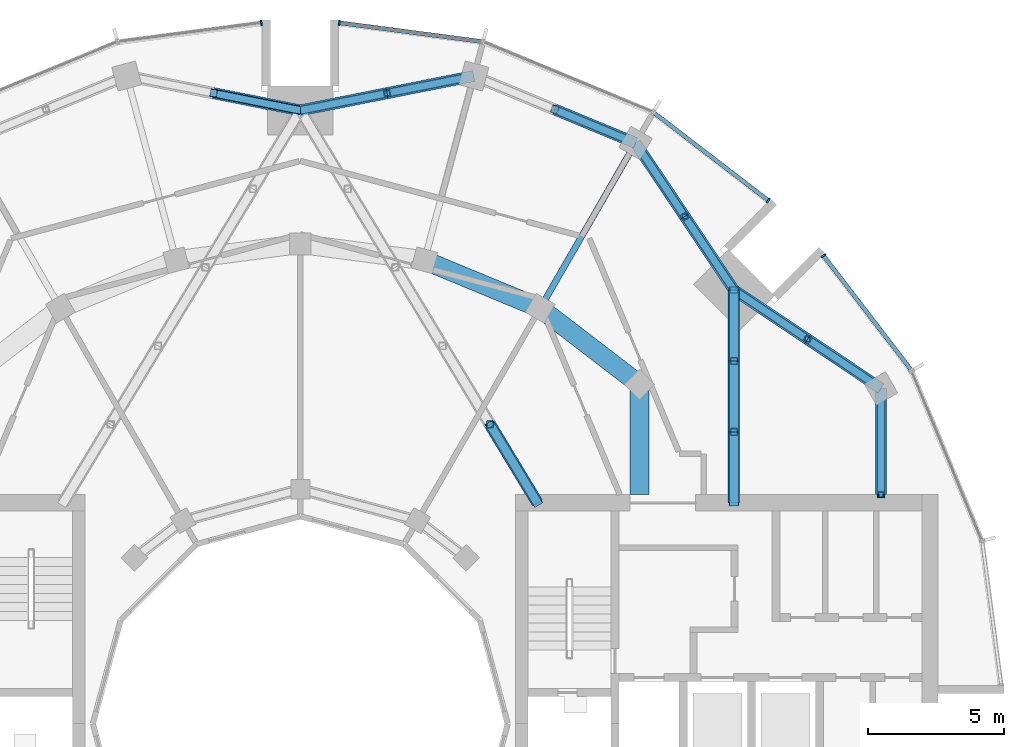
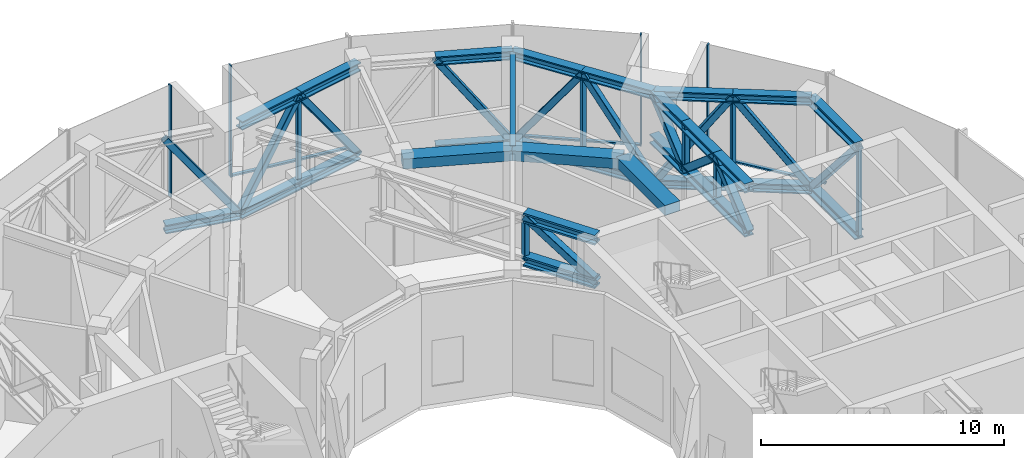
# One storey, part 9 of 18: 52 members, 4 beams, 4 elements without a shape of their own.
"""IFC4 building model written with IfcOpenShell, lengths in metres."""

import ifcopenshell
import ifcopenshell.guid

model = None  # the IFC model being written
_history = None  # IfcOwnerHistory: only IFC2X3 demands one
_inside = {}  # id of a spatial element -> (the spatial element, [elements in it])
_under = {}  # id of a project, library or spatial element -> (it, [spatial elements below it])
_declared = {}  # id of a project -> (the project, [libraries it declares])
_typed = {}  # id of a type object -> (the type object, [elements of that type])
_made_of = {}  # id of a material, layer set ... -> (it, [elements and type objects made of it])


def new_model(schema):
    """Start an empty IFC model of exactly this schema.

    Asked for "IFC4X3", IfcOpenShell would pick the latest addendum, in which some entities
    have other attributes; the version numbers below select the first issue.
    IFC2X3 requires an IfcOwnerHistory on every rooted entity: one is made here for all.
    """
    global model, _history
    if schema == "IFC4X3":
        model = ifcopenshell.file(schema_version=(4, 3, 0, 0))
    else:
        model = ifcopenshell.file(schema=schema)
    _inside.clear()
    _under.clear()
    _declared.clear()
    _typed.clear()
    _made_of.clear()
    _history = None
    if model.schema == "IFC2X3":
        org = make("IfcOrganization", Name="unknown")
        user = make(
            "IfcPersonAndOrganization",
            ThePerson=make("IfcPerson", FamilyName="unknown"),
            TheOrganization=org,
        )
        app = make(
            "IfcApplication",
            ApplicationDeveloper=org,
            Version="unknown",
            ApplicationFullName="unknown",
            ApplicationIdentifier="unknown",
        )
        _history = make(
            "IfcOwnerHistory",
            OwningUser=user,
            OwningApplication=app,
            ChangeAction="ADDED",
            CreationDate=0,
        )
    return model


def make(cls, **values):
    """One entity of the class cls with the attributes given. An attribute that is None is left unset."""
    return model.create_entity(
        cls, **{name: value for name, value in values.items() if value is not None}
    )


def rooted(cls, **values):
    """An entity with a GlobalId (a new one), such as an element, a storey or a relation."""
    return make(cls, GlobalId=ifcopenshell.guid.new(), OwnerHistory=_history, **values)


def si_unit(unit_type, name, prefix=None):
    """IfcSIUnit, for example si_unit("LENGTHUNIT", "METRE", prefix="MILLI")."""
    return make("IfcSIUnit", UnitType=unit_type, Prefix=prefix, Name=name)


def assignment(units):
    """IfcUnitAssignment: the units of a project."""
    return None if units is None else make("IfcUnitAssignment", Units=units)


def point(xyz):
    """IfcCartesianPoint."""
    return None if xyz is None else make("IfcCartesianPoint", Coordinates=xyz)


def direction(xyz):
    """IfcDirection."""
    return None if xyz is None else make("IfcDirection", DirectionRatios=xyz)


def frame(location, z_axis=None, x_axis=None):
    """IfcAxis2Placement3D, a coordinate frame: its origin and axes. An axis left out is left unset."""
    return make(
        "IfcAxis2Placement3D",
        Location=point(location),
        Axis=direction(z_axis),
        RefDirection=direction(x_axis),
    )


def frame_2d(location, x_axis=None):
    """IfcAxis2Placement2D, a coordinate frame in the plane: its origin and x axis."""
    return make(
        "IfcAxis2Placement2D", Location=point(location), RefDirection=direction(x_axis)
    )


def origin():
    """The frame at (0, 0, 0) with its axes left unset."""
    return frame((0.0, 0.0, 0.0))


def origin_2d():
    """The frame at (0, 0) in the plane with its x axis left unset."""
    return frame_2d((0.0, 0.0))


def place(relative_to, where):
    """IfcLocalPlacement: puts the frame where relative to a parent placement (None: the world)."""
    return make(
        "IfcLocalPlacement", PlacementRelTo=relative_to, RelativePlacement=where
    )


def context(
    kind, dimensions, precision=None, world=None, true_north=None, identifier=None
):
    """IfcGeometricRepresentationContext, for example the 3D "Model" context."""
    return make(
        "IfcGeometricRepresentationContext",
        ContextIdentifier=identifier,
        ContextType=kind,
        CoordinateSpaceDimension=dimensions,
        Precision=precision,
        WorldCoordinateSystem=world,
        TrueNorth=true_north,
    )


def subcontext(parent, identifier, kind, view, scale=None):
    """IfcGeometricRepresentationSubContext, for example "Body" below "Model"."""
    return make(
        "IfcGeometricRepresentationSubContext",
        ContextIdentifier=identifier,
        ContextType=kind,
        ParentContext=parent,
        TargetScale=scale,
        TargetView=view,
    )


def project(units=None, contexts=None):
    """IfcProject with its units and contexts."""
    return rooted(
        "IfcProject",
        Name="project",
        RepresentationContexts=contexts,
        UnitsInContext=assignment(units),
    )


def spatial(cls, under=None, at=None, **own):
    """A site, building, storey or space (cls), placed at a placement, below another one or the project."""
    s = rooted(cls, ObjectPlacement=at, **own)
    if under is not None:
        _under.setdefault(under.id(), (under, []))[1].append(s)
    return s


def profile(cls, at=None, kind="AREA", **sizes):
    """A parametric profile (cls). Its sizes go by their IFC names, for example OverallWidth=200.0."""
    return make(cls, ProfileType=kind, Position=at, **sizes)


def rectangle(**sizes):
    """IfcRectangleProfileDef."""
    return profile("IfcRectangleProfileDef", **sizes)


def hollow_rectangle(**sizes):
    """IfcRectangleHollowProfileDef."""
    return profile("IfcRectangleHollowProfileDef", **sizes)


def i_section(**sizes):
    """IfcIShapeProfileDef."""
    return profile("IfcIShapeProfileDef", **sizes)


def extrude(swept, where, along, depth):
    """IfcExtrudedAreaSolid: the profile swept, set in the frame where, extruded along a direction by depth."""
    return make(
        "IfcExtrudedAreaSolid",
        SweptArea=swept,
        Position=where,
        ExtrudedDirection=direction(along),
        Depth=depth,
    )


def shape(context_of_items, identifier, shape_type, items):
    """IfcShapeRepresentation: the items that make up one representation, for example the "Body"."""
    return make(
        "IfcShapeRepresentation",
        ContextOfItems=context_of_items,
        RepresentationIdentifier=identifier,
        RepresentationType=shape_type,
        Items=items,
    )


def material(Name=None, Category=None):
    """IfcMaterial."""
    return make("IfcMaterial", Name=Name, Category=Category)


def layer(
    of_material, thickness, ventilated=None, Name=None, Category=None, Priority=None
):
    """IfcMaterialLayer: one layer of a wall or slab, of a material (None: an air gap)."""
    return make(
        "IfcMaterialLayer",
        Material=of_material,
        LayerThickness=thickness,
        IsVentilated=ventilated,
        Name=Name,
        Category=Category,
        Priority=Priority,
    )


def layer_set(layers, Name=None):
    """IfcMaterialLayerSet."""
    return make("IfcMaterialLayerSet", MaterialLayers=layers, LayerSetName=Name)


def material_profile(
    of_material, cross_section, Name=None, Category=None, Priority=None
):
    """IfcMaterialProfile: a cross section and its material."""
    return make(
        "IfcMaterialProfile",
        Name=Name,
        Material=of_material,
        Profile=cross_section,
        Priority=Priority,
        Category=Category,
    )


def profile_set(profiles, Name=None, composite=None):
    """IfcMaterialProfileSet."""
    return make(
        "IfcMaterialProfileSet",
        Name=Name,
        MaterialProfiles=profiles,
        CompositeProfile=composite,
    )


def made_of(thing, what):
    """Note that an element or type object is made of a material, layer set ...; save() writes the relation."""
    if what is not None:
        _made_of.setdefault(what.id(), (what, []))[1].append(thing)
    return thing


def type_object(cls, material=None, **own):
    """A type object (cls), such as IfcWallType, which elements share."""
    return made_of(rooted(cls, **own), material)


def element(
    cls,
    number,
    at=None,
    inside=None,
    cuts=None,
    type_object=None,
    material=None,
    context=None,
    identifier="Body",
    shape_type=None,
    held_by="IfcProductDefinitionShape",
    body=None,
    shapes=None,
    **own,
):
    """One element of the class cls, such as IfcWall. Its Tag is "e" and its number.

    at: its placement. inside: the storey or other place that contains it. cuts: it is an
    opening in that element (IfcRelVoidsElement). A single representation is given by context,
    identifier, shape_type and body (its items); several are given by shapes. held_by: the class
    of the entity that holds the representations. save() writes the other relations.
    """
    e = rooted(cls, Tag="e%d" % number, ObjectPlacement=at, **own)
    if body is not None:
        shapes = [shape(context, identifier, shape_type, body)]
    if shapes is not None:
        e.Representation = make(held_by, Representations=shapes)
    if inside is not None:
        _inside.setdefault(inside.id(), (inside, []))[1].append(e)
    if cuts is not None:
        rooted(
            "IfcRelVoidsElement", RelatingBuildingElement=cuts, RelatedOpeningElement=e
        )
    if type_object is not None:
        _typed.setdefault(type_object.id(), (type_object, []))[1].append(e)
    return made_of(e, material)


def aggregate(whole, parts):
    """IfcRelAggregates: a whole, such as a stair, and the parts it consists of."""
    return rooted("IfcRelAggregates", RelatingObject=whole, RelatedObjects=parts)


def save(model, path):
    """Write the relations noted so far, then the file.

    IfcRelAggregates (storeys below a building ...), IfcRelContainedInSpatialStructure (elements
    in a storey), IfcRelDefinesByType, IfcRelAssociatesMaterial and IfcRelDeclares: one each for
    every whole, place, type object, material and project.
    """
    for whole, parts in _under.values():
        aggregate(whole, parts)
    for where, things in _inside.values():
        rooted(
            "IfcRelContainedInSpatialStructure",
            RelatedElements=things,
            RelatingStructure=where,
        )
    for kind, things in _typed.values():
        rooted("IfcRelDefinesByType", RelatedObjects=things, RelatingType=kind)
    for what, things in _made_of.values():
        rooted("IfcRelAssociatesMaterial", RelatedObjects=things, RelatingMaterial=what)
    for by, libraries in _declared.values():
        rooted("IfcRelDeclares", RelatingContext=by, RelatedDefinitions=libraries)
    model.write(path)


model = new_model("IFC4")

# Units and contexts
model_context = context("Model", 3, precision=1e-05, world=origin(), true_north=direction((0.0, 1.0)))
body_context = subcontext(model_context, "Body", "Model", "MODEL_VIEW")
ifc_project = project(units=[si_unit("LENGTHUNIT", "METRE"), si_unit("AREAUNIT", "SQUARE_METRE"), si_unit("VOLUMEUNIT", "CUBIC_METRE"), si_unit("PLANEANGLEUNIT", "RADIAN"), si_unit("MASSUNIT", "GRAM", prefix="KILO")], contexts=[model_context])

# Site, building, storey
site_placement = place(None, origin())
site = spatial("IfcSite", under=ifc_project, at=site_placement, CompositionType="ELEMENT")
building_placement = place(site_placement, origin())
building = spatial("IfcBuilding", under=site, at=building_placement, Name="Torre Brocal", CompositionType="ELEMENT")
storey_placement = place(building_placement, frame((0.0, 0.0, 206.89990234375)))
storey = spatial("IfcBuildingStorey", under=building, at=storey_placement, Name="L48", CompositionType="ELEMENT", Elevation=206.89990234375)

# Members
ifc_material_1 = material(Name="Steel A500 Grade C", Category="steel")
ifc_material_profile_1 = material_profile(ifc_material_1, hollow_rectangle(XDim=0.203125, YDim=0.203125, WallThickness=0.01171875, InnerFilletRadius=0.01171875, OuterFilletRadius=0.023681640625, at=origin_2d()), Name="HSS8X8X1/2")
ifc_profile_set_1 = profile_set([ifc_material_profile_1], Name="Steel A500 Grade C")
member_type_1 = type_object("IfcMemberType", Name="BELT 2 POST HSS8X8X1/2", PredefinedType="POST", material=ifc_profile_set_1)
for number, where, z_axis, x_axis, name in (
    (1, (98.607177734375, 89.10498046875, 0.6171875), (0.0, 0.0, 1.0), (1.0, 0.0, 0.0), "Member BT2-P01"),
    (2, (94.10498046875, 93.607177734375, 0.6171875), (0.0, 0.0, 1.0), (1.0, 0.0, 0.0), "Member BT2-P02"),
    (3, (83.18359375, 98.130859375, 0.6171875), (0.0, 0.0, 1.0), (1.0, 0.0, 0.0), "Member BT2-P04"),
    (4, (101.30419921875, 83.39990234375, 0.6171875), (0.0, 0.0, 1.0), (1.0, 0.0, 0.0), "Member BT2-P20"),
):
    element("IfcMember", number, at=place(storey_placement, frame(where, z_axis=z_axis, x_axis=x_axis)), inside=storey, type_object=member_type_1, Name=name, PredefinedType="POST", context=body_context, shape_type="SweptSolid", body=[
        extrude(hollow_rectangle(XDim=0.203125, YDim=0.203125, WallThickness=0.01171875, InnerFilletRadius=0.01171875, OuterFilletRadius=0.023681640625, at=origin_2d()), origin(), (0.0, 0.0, 1.0), 4.44580078125),
    ])

# Curtain wall, member
ifc_material_2 = material(Name="Aluminium and glass", Category="aluminium")
ifc_layer = layer(ifc_material_2, 0.199951171875)
ifc_layer_set = layer_set([ifc_layer], Name="Aluminium and glass")
curtain_wall_type = type_object("IfcCurtainWallType", Name="CW-1 CURTAIN WALL 5600 HIGH", PredefinedType="NOTDEFINED", material=ifc_layer_set)
curtain_wall_1_placement = place(storey_placement, origin())
curtain_wall_1 = element("IfcCurtainWall", 5, at=curtain_wall_1_placement, inside=storey, type_object=curtain_wall_type, Name="CW-1 RUN 3", PredefinedType="NOTDEFINED")
ifc_material_3 = material(Name="Aluminium, dark anodised", Category="aluminium")
ifc_material_profile_2 = material_profile(ifc_material_3, rectangle(XDim=0.199951171875, YDim=0.06005859375, at=origin_2d()), Name="CW-1 MULLION 60X200")
ifc_profile_set_2 = profile_set([ifc_material_profile_2], Name="Aluminium, dark anodised")
member_type_2 = type_object("IfcMemberType", Name="CW-1 MULLION 60X200", PredefinedType="MULLION", material=ifc_profile_set_2)
member_1_placement = place(storey_placement, frame((99.19140625, 92.16943359375, 0.0), z_axis=(0.0, 0.0, 1.0), x_axis=(-0.793353340259, -0.60876142905, 0.0)))
member_1 = element("IfcMember", 6, at=member_1_placement, type_object=member_type_2, Name="CW1-2 mullion 2", PredefinedType="MULLION", context=body_context, shape_type="SweptSolid", body=[
    extrude(rectangle(XDim=0.199951171875, YDim=0.06005859375, at=origin_2d()), origin(), (0.0, 0.0, 1.0), 5.60009765625),
])

curtain_wall_2_placement = place(storey_placement, origin())
curtain_wall_2 = element("IfcCurtainWall", 7, at=curtain_wall_2_placement, inside=storey, type_object=curtain_wall_type, Name="CW-1 RUN 4", PredefinedType="NOTDEFINED")
member_2_placement = place(storey_placement, frame((97.16943359375, 94.19140625, 0.0), z_axis=(0.0, 0.0, 1.0), x_axis=(-0.60876142905, -0.793353340259, 0.0)))
member_2 = element("IfcMember", 8, at=member_2_placement, type_object=member_type_2, Name="CW1-2 mullion 1", PredefinedType="MULLION", context=body_context, shape_type="SweptSolid", body=[
    extrude(rectangle(XDim=0.199951171875, YDim=0.06005859375, at=origin_2d()), origin(), (0.0, 0.0, 1.0), 5.60009765625),
])

curtain_wall_3_placement = place(storey_placement, origin())
curtain_wall_3 = element("IfcCurtainWall", 9, at=curtain_wall_3_placement, inside=storey, type_object=curtain_wall_type, Name="CW-1 RUN 6", PredefinedType="NOTDEFINED")
member_3_placement = place(storey_placement, frame((81.4296875, 100.7109375, 0.0), z_axis=(0.0, 0.0, 1.0), x_axis=(-0.13052619222, -0.991444861374, 0.0)))
member_3 = element("IfcMember", 10, at=member_3_placement, type_object=member_type_2, Name="CW1-2 mullion 2", PredefinedType="MULLION", context=body_context, shape_type="SweptSolid", body=[
    extrude(rectangle(XDim=0.199951171875, YDim=0.06005859375, at=origin_2d()), origin(), (0.0, 0.0, 1.0), 5.60009765625),
])

curtain_wall_4_placement = place(storey_placement, origin())
curtain_wall_4 = element("IfcCurtainWall", 11, at=curtain_wall_4_placement, inside=storey, type_object=curtain_wall_type, Name="CW-1 RUN 7", PredefinedType="NOTDEFINED")
member_4_placement = place(storey_placement, frame((78.5703125, 100.7109375, 0.0), z_axis=(0.0, 0.0, 1.0), x_axis=(0.13052619222, -0.991444861374, 0.0)))
member_4 = element("IfcMember", 12, at=member_4_placement, type_object=member_type_2, Name="CW1-2 mullion 1", PredefinedType="MULLION", context=body_context, shape_type="SweptSolid", body=[
    extrude(rectangle(XDim=0.199951171875, YDim=0.06005859375, at=origin_2d()), origin(), (0.0, 0.0, 1.0), 5.60009765625),
])
aggregate(curtain_wall_4, [member_4])

# Member
ifc_material_4 = material(Name="Aluminium, dark anodised", Category="aluminium")
ifc_material_profile_3 = material_profile(ifc_material_4, rectangle(XDim=0.159912109375, YDim=0.080078125, at=origin_2d()), Name="CW-1 TRANSOM 160X80")
ifc_profile_set_3 = profile_set([ifc_material_profile_3], Name="Aluminium, dark anodised")
member_type_3 = type_object("IfcMemberType", Name="CW-1 TRANSOM 160X80", PredefinedType="USERDEFINED", material=ifc_profile_set_3)
member_5_placement = place(storey_placement, frame((102.392822265625, 87.9970703125, 0.0400390625), z_axis=(-0.60874908096, 0.79336281513, 0.0), x_axis=(-0.79336281513, -0.60874908096, 0.0)))
member_5 = element("IfcMember", 13, at=member_5_placement, type_object=member_type_3, Name="CW1-2 transom 1.1", ObjectType="TRANSOM", PredefinedType="USERDEFINED", context=body_context, shape_type="SweptSolid", body=[
    extrude(rectangle(XDim=0.159912109375, YDim=0.080078125, at=origin_2d()), origin(), (0.0, 0.0, 1.0), 5.22900390625),
])

aggregate(curtain_wall_1, [member_1, member_5])

member_6_placement = place(storey_placement, frame((97.1455078125, 94.209716796875, 0.0400390625), z_axis=(-0.79336281513, 0.60874908096, 0.0), x_axis=(-0.60874908096, -0.79336281513, 0.0)))
member_6 = element("IfcMember", 14, at=member_6_placement, type_object=member_type_3, Name="CW1-2 transom 1.1", ObjectType="TRANSOM", PredefinedType="USERDEFINED", context=body_context, shape_type="SweptSolid", body=[
    extrude(rectangle(XDim=0.159912109375, YDim=0.080078125, at=origin_2d()), origin(), (0.0, 0.0, 1.0), 5.22900390625),
])

aggregate(curtain_wall_2, [member_2, member_6])

member_7_placement = place(storey_placement, frame((86.643798828125, 100.0244140625, 0.0400390625), z_axis=(-0.991442690863, 0.130542677827, 0.0), x_axis=(-0.130542677827, -0.991442690863, 0.0)))
member_7 = element("IfcMember", 15, at=member_7_placement, type_object=member_type_3, Name="CW1-2 transom 1.1", ObjectType="TRANSOM", PredefinedType="USERDEFINED", context=body_context, shape_type="SweptSolid", body=[
    extrude(rectangle(XDim=0.159912109375, YDim=0.080078125, at=origin_2d()), origin(), (0.0, 0.0, 1.0), 5.22900390625),
])

aggregate(curtain_wall_3, [member_3, member_7])

# Members
ifc_material_5 = material(Name="Steel A500 Grade C", Category="steel")
ifc_material_profile_4 = material_profile(ifc_material_5, hollow_rectangle(XDim=0.25390625, YDim=0.25390625, WallThickness=0.01171875, InnerFilletRadius=0.01171875, OuterFilletRadius=0.023681640625, at=origin_2d()), Name="HSS10X10X1/2")
ifc_profile_set_4 = profile_set([ifc_material_profile_4], Name="Steel A500 Grade C")
member_type_4 = type_object("IfcMemberType", Name="OUTRIGGER 2 POST HSS10X10X1/2", PredefinedType="POST", material=ifc_profile_set_4)
for number, where, z_axis, x_axis, name in (
    (16, (95.909912109375, 85.703369140625, 2.83251953125), (0.0, 0.0, 1.0), (1.0, 0.0, 0.0), "Member OT2-P01"),
    (17, (95.909912109375, 88.306640625, 2.83251953125), (0.0, 0.0, 1.0), (1.0, 0.0, 0.0), "Member OT2-P02"),
):
    element("IfcMember", number, at=place(storey_placement, frame(where, z_axis=z_axis, x_axis=x_axis)), inside=storey, type_object=member_type_4, Name=name, PredefinedType="POST", context=body_context, shape_type="SweptSolid", body=[
        extrude(hollow_rectangle(XDim=0.25390625, YDim=0.25390625, WallThickness=0.01171875, InnerFilletRadius=0.01171875, OuterFilletRadius=0.023681640625, at=origin_2d()), origin(), (0.0, 0.0, 1.0), 2.215087890625),
    ])
member_8_placement = place(storey_placement, frame((86.9599609375, 85.97998046875, 2.848876953125), z_axis=(0.0, 0.0, 1.0), x_axis=(1.0, 0.0, 0.0)))
element("IfcMember", 18, at=member_8_placement, inside=storey, type_object=member_type_4, Name="Member OT2-P03", PredefinedType="POST", context=body_context, shape_type="SweptSolid", body=[
    extrude(hollow_rectangle(XDim=0.25390625, YDim=0.25390625, WallThickness=0.01171875, InnerFilletRadius=0.01171875, OuterFilletRadius=0.023681640625, at=origin_2d()), origin(), (0.0, 0.0, 1.0), 2.182373046875),
])

# Beams
ifc_material_6 = material(Name="Steel A992", Category="steel")
ifc_material_profile_5 = material_profile(ifc_material_6, i_section(OverallWidth=0.22900390625, OverallDepth=0.612060546875, WebThickness=0.011962890625, FlangeThickness=0.01953125, at=origin_2d()), Name="W24X84")
ifc_profile_set_5 = profile_set([ifc_material_profile_5], Name="Steel A992")
beam_type_1 = type_object("IfcBeamType", Name="PLANT FLOOR BEAM TOP 5280 W24X84", PredefinedType="BEAM", material=ifc_profile_set_5)
beam_1_placement = place(storey_placement, frame((88.800048828125, 90.241943359375, 4.97412109375), z_axis=(0.499995173006, 0.866028190633, 0.0), x_axis=(-0.866028190633, 0.499995173006, 0.0)))
element("IfcBeam", 19, at=beam_1_placement, inside=storey, type_object=beam_type_1, Name="Beam SF-02", PredefinedType="BEAM", context=body_context, shape_type="SweptSolid", body=[
    extrude(i_section(OverallWidth=0.22900390625, OverallDepth=0.612060546875, WebThickness=0.011962890625, FlangeThickness=0.01953125, at=origin_2d()), origin(), (0.0, 0.0, 1.0), 7.0),
])
ifc_material_7 = material(Name="Concrete C50", Category="concrete")
ifc_material_profile_6 = material_profile(ifc_material_7, rectangle(XDim=0.699951171875, YDim=0.5, at=origin_2d()), Name="RC 700X500")
ifc_profile_set_6 = profile_set([ifc_material_profile_6], Name="Concrete C50")
beam_type_2 = type_object("IfcBeamType", Name="RC BEAM 700X500 C50 TOP 5280", PredefinedType="BEAM", material=ifc_profile_set_6)
beam_2_placement = place(storey_placement, frame((92.445068359375, 87.445068359375, 5.030029296875), z_axis=(-0.793358265959, 0.6087550097, 0.0), x_axis=(-0.6087550097, -0.793358265959, 0.0)))
element("IfcBeam", 20, at=beam_2_placement, inside=storey, type_object=beam_type_2, Name="Beam BT-36", PredefinedType="BEAM", context=body_context, shape_type="SweptSolid", body=[
    extrude(rectangle(XDim=0.699951171875, YDim=0.5, at=origin_2d()), origin(), (0.0, 0.0, 1.0), 4.594482421875),
])
beam_3_placement = place(storey_placement, frame((88.800048828125, 90.241943359375, 5.030029296875), z_axis=(-0.923878240166, 0.382686552348, 0.0), x_axis=(-0.382686552348, -0.923878240166, 0.0)))
element("IfcBeam", 21, at=beam_3_placement, inside=storey, type_object=beam_type_2, Name="Beam BT-36", PredefinedType="BEAM", context=body_context, shape_type="SweptSolid", body=[
    extrude(rectangle(XDim=0.699951171875, YDim=0.5, at=origin_2d()), origin(), (0.0, 0.0, 1.0), 4.5947265625),
])
beam_4_placement = place(storey_placement, frame((92.445068359375, 87.445068359375, 5.030029296875), z_axis=(0.0, -1.0, 0.0), x_axis=(1.0, 0.0, 0.0)))
element("IfcBeam", 22, at=beam_4_placement, inside=storey, type_object=beam_type_2, Name="Beam BT-36", PredefinedType="BEAM", context=body_context, shape_type="SweptSolid", body=[
    extrude(rectangle(XDim=0.699951171875, YDim=0.5, at=origin_2d()), origin(), (0.0, 0.0, 1.0), 4.045166015625),
])

# Members
ifc_material_8 = material(Name="Steel A992", Category="steel")
ifc_material_profile_7 = material_profile(ifc_material_8, i_section(OverallWidth=0.41162109375, OverallDepth=0.434326171875, WebThickness=0.035888671875, FlangeThickness=0.057373046875, at=origin_2d()), Name="W14X311")
ifc_profile_set_7 = profile_set([ifc_material_profile_7], Name="Steel A992")
member_type_5 = type_object("IfcMemberType", Name="TRUSS BOTTOM CHORD W14X311", PredefinedType="CHORD", material=ifc_profile_set_7)
for number, where, z_axis, x_axis, name in (
    (23, (101.30419921875, 87.300048828125, 0.6171875), (-0.831065209559, 0.556174988166, 0.0), (-0.556174988166, -0.831065209559, 0.0), "Member BT2-C02"),
    (24, (98.607177734375, 89.10498046875, 0.6171875), (-0.831088478302, 0.556140217242, 0.0), (-0.556140217242, -0.831088478302, 0.0), "Member BT2-C04"),
    (25, (95.909912109375, 90.909912109375, 0.6171875), (-0.556140217242, 0.831088478302, 0.0), (-0.831088478302, -0.556140217242, 0.0), "Member BT2-C06"),
    (26, (94.10498046875, 93.607177734375, 0.6171875), (-0.556174988166, 0.831065209559, 0.0), (-0.831065209559, -0.556174988166, 0.0), "Member BT2-C08"),
):
    element("IfcMember", number, at=place(storey_placement, frame(where, z_axis=z_axis, x_axis=x_axis)), inside=storey, type_object=member_type_5, Name=name, PredefinedType="CHORD", context=body_context, shape_type="SweptSolid", body=[
        extrude(i_section(OverallWidth=0.41162109375, OverallDepth=0.434326171875, WebThickness=0.035888671875, FlangeThickness=0.057373046875, at=origin_2d()), origin(), (0.0, 0.0, 1.0), 3.245361328125),
    ])
member_9_placement = place(storey_placement, frame((92.300048828125, 96.30419921875, 0.6171875), z_axis=(-0.923882462513, 0.382676358639, 0.0), x_axis=(-0.382676358639, -0.923882462513, 0.0)))
element("IfcMember", 27, at=member_9_placement, inside=storey, type_object=member_type_5, Name="Member BT2-C10", PredefinedType="CHORD", context=body_context, shape_type="SweptSolid", body=[
    extrude(i_section(OverallWidth=0.41162109375, OverallDepth=0.434326171875, WebThickness=0.035888671875, FlangeThickness=0.057373046875, at=origin_2d()), origin(), (0.0, 0.0, 1.0), 3.2109375),
])
member_10_placement = place(storey_placement, frame((86.366943359375, 98.76171875, 0.6171875), z_axis=(-0.980923486126, -0.194394224108, 0.0), x_axis=(0.194394224108, -0.980923486126, 0.0)))
element("IfcMember", 28, at=member_10_placement, inside=storey, type_object=member_type_5, Name="Member BT2-C14", PredefinedType="CHORD", context=body_context, shape_type="SweptSolid", body=[
    extrude(i_section(OverallWidth=0.41162109375, OverallDepth=0.434326171875, WebThickness=0.035888671875, FlangeThickness=0.057373046875, at=origin_2d()), origin(), (0.0, 0.0, 1.0), 3.245361328125),
])
for number, where, z_axis, x_axis, name in (
    (29, (83.18359375, 98.130859375, 0.6171875), (-0.980926328685, -0.194379879856, 0.0), (0.194379879856, -0.980926328685, 0.0), "Member BT2-C16"),
    (30, (80.0, 97.5, 0.6171875), (-0.980926328685, 0.194379879856, 0.0), (-0.194379879856, -0.980926328685, 0.0), "Member BT2-C18"),
):
    element("IfcMember", number, at=place(storey_placement, frame(where, z_axis=z_axis, x_axis=x_axis)), inside=storey, type_object=member_type_5, Name=name, PredefinedType="CHORD", context=body_context, shape_type="SweptSolid", body=[
        extrude(i_section(OverallWidth=0.41162109375, OverallDepth=0.434326171875, WebThickness=0.035888671875, FlangeThickness=0.057373046875, at=origin_2d()), origin(), (0.0, 0.0, 1.0), 3.24560546875),
    ])
member_11_placement = place(storey_placement, frame((101.30419921875, 87.300048828125, 0.6171875), z_axis=(0.0, -1.0, 0.0), x_axis=(1.0, 0.0, 0.0)))
element("IfcMember", 31, at=member_11_placement, inside=storey, type_object=member_type_5, Name="Member BT2-C72", PredefinedType="CHORD", context=body_context, shape_type="SweptSolid", body=[
    extrude(i_section(OverallWidth=0.41162109375, OverallDepth=0.434326171875, WebThickness=0.035888671875, FlangeThickness=0.057373046875, at=origin_2d()), origin(), (0.0, 0.0, 1.0), 3.900146484375),
])
ifc_material_9 = material(Name="Steel A992", Category="steel")
ifc_material_profile_8 = material_profile(ifc_material_9, i_section(OverallWidth=0.421630859375, OverallDepth=0.46484375, WebThickness=0.044921875, FlangeThickness=0.072509765625, at=origin_2d()), Name="W14X398")
ifc_profile_set_8 = profile_set([ifc_material_profile_8], Name="Steel A992")
member_type_6 = type_object("IfcMemberType", Name="TRUSS BOTTOM CHORD W14X398", PredefinedType="CHORD", material=ifc_profile_set_8)
for number, where, z_axis, x_axis, name in (
    (32, (95.909912109375, 83.10009765625, 2.83251953125), (0.0, 1.0, 0.0), (-1.0, 0.0, 0.0), "Member OT2-C02"),
    (33, (95.909912109375, 85.703369140625, 2.83251953125), (0.0, 1.0, 0.0), (-1.0, 0.0, 0.0), "Member OT2-C04"),
    (34, (95.909912109375, 88.306640625, 2.83251953125), (0.0, 1.0, 0.0), (-1.0, 0.0, 0.0), "Member OT2-C06"),
):
    element("IfcMember", number, at=place(storey_placement, frame(where, z_axis=z_axis, x_axis=x_axis)), inside=storey, type_object=member_type_6, Name=name, PredefinedType="CHORD", context=body_context, shape_type="SweptSolid", body=[
        extrude(i_section(OverallWidth=0.421630859375, OverallDepth=0.46484375, WebThickness=0.044921875, FlangeThickness=0.072509765625, at=origin_2d()), origin(), (0.0, 0.0, 1.0), 2.603271484375),
    ])
ifc_material_10 = material(Name="Steel A992", Category="steel")
ifc_material_profile_9 = material_profile(ifc_material_10, i_section(OverallWidth=0.431884765625, OverallDepth=0.497802734375, WebThickness=0.0556640625, FlangeThickness=0.0888671875, at=origin_2d()), Name="W14X500")
ifc_profile_set_9 = profile_set([ifc_material_profile_9], Name="Steel A992")
member_type_7 = type_object("IfcMemberType", Name="TRUSS BOTTOM CHORD W14X500", PredefinedType="CHORD", material=ifc_profile_set_9)
member_12_placement = place(storey_placement, frame((88.699951171875, 83.10009765625, 2.848876953125), z_axis=(-0.517128928912, 0.855907513042, 0.0), x_axis=(-0.855907513042, -0.517128928912, 0.0)))
element("IfcMember", 35, at=member_12_placement, inside=storey, type_object=member_type_7, Name="Member OT2-C08", PredefinedType="CHORD", context=body_context, shape_type="SweptSolid", body=[
    extrude(i_section(OverallWidth=0.431884765625, OverallDepth=0.497802734375, WebThickness=0.0556640625, FlangeThickness=0.0888671875, at=origin_2d()), origin(), (0.0, 0.0, 1.0), 3.36474609375),
])
ifc_material_11 = material(Name="Steel A500 Grade C", Category="steel")
ifc_material_profile_10 = material_profile(ifc_material_11, hollow_rectangle(XDim=0.3046875, YDim=0.3046875, WallThickness=0.014892578125, InnerFilletRadius=0.014892578125, OuterFilletRadius=0.029541015625, at=origin_2d()), Name="HSS12X12X5/8")
ifc_profile_set_10 = profile_set([ifc_material_profile_10], Name="Steel A500 Grade C")
member_type_8 = type_object("IfcMemberType", Name="TRUSS DIAGONAL HSS12X12X5/8", PredefinedType="BRACE", material=ifc_profile_set_10)
member_13_placement = place(storey_placement, frame((101.30419921875, 87.300048828125, 0.6171875), z_axis=(-0.489988270821, 0.327915568587, 0.807702218851), x_axis=(-0.556174988166, -0.831065209559, 0.0)))
element("IfcMember", 36, at=member_13_placement, inside=storey, type_object=member_type_8, Name="Member BT2-D01", PredefinedType="BRACE", context=body_context, shape_type="SweptSolid", body=[
    extrude(hollow_rectangle(XDim=0.3046875, YDim=0.3046875, WallThickness=0.014892578125, InnerFilletRadius=0.014892578125, OuterFilletRadius=0.029541015625, at=origin_2d()), origin(), (0.0, 0.0, 1.0), 5.504150390625),
])
for number, where, z_axis, x_axis, name in (
    (37, (98.607177734375, 89.10498046875, 5.06298828125), (-0.490021975499, 0.327908441787, -0.80768466454), (-0.556140217242, -0.831088478302, 0.0), "Member BT2-D02"),
    (38, (95.909912109375, 90.909912109375, 0.6171875), (-0.327908441787, 0.490021975499, 0.80768466454), (-0.831088478302, -0.556140217242, 0.0), "Member BT2-D03"),
):
    element("IfcMember", number, at=place(storey_placement, frame(where, z_axis=z_axis, x_axis=x_axis)), inside=storey, type_object=member_type_8, Name=name, PredefinedType="BRACE", context=body_context, shape_type="SweptSolid", body=[
        extrude(hollow_rectangle(XDim=0.3046875, YDim=0.3046875, WallThickness=0.014892578125, InnerFilletRadius=0.014892578125, OuterFilletRadius=0.029541015625, at=origin_2d()), origin(), (0.0, 0.0, 1.0), 5.50439453125),
    ])
member_14_placement = place(storey_placement, frame((94.10498046875, 93.607177734375, 5.06298828125), z_axis=(-0.327915568587, 0.489988270821, -0.807702218851), x_axis=(-0.831065209559, -0.556174988166, 0.0)))
element("IfcMember", 39, at=member_14_placement, inside=storey, type_object=member_type_8, Name="Member BT2-D04", PredefinedType="BRACE", context=body_context, shape_type="SweptSolid", body=[
    extrude(hollow_rectangle(XDim=0.3046875, YDim=0.3046875, WallThickness=0.014892578125, InnerFilletRadius=0.014892578125, OuterFilletRadius=0.029541015625, at=origin_2d()), origin(), (0.0, 0.0, 1.0), 5.504150390625),
])
member_15_placement = place(storey_placement, frame((92.300048828125, 96.30419921875, 0.6171875), z_axis=(-0.540936327558, 0.22405831097, 0.810669946904), x_axis=(-0.382676358639, -0.923882462513, 0.0)))
element("IfcMember", 40, at=member_15_placement, inside=storey, type_object=member_type_8, Name="Member BT2-D05", PredefinedType="BRACE", context=body_context, shape_type="SweptSolid", body=[
    extrude(hollow_rectangle(XDim=0.3046875, YDim=0.3046875, WallThickness=0.014892578125, InnerFilletRadius=0.014892578125, OuterFilletRadius=0.029541015625, at=origin_2d()), origin(), (0.0, 0.0, 1.0), 5.484130859375),
])
member_16_placement = place(storey_placement, frame((86.366943359375, 98.76171875, 0.6171875), z_axis=(-0.578343221896, -0.114612998342, 0.807702283207), x_axis=(0.194394224108, -0.980923486126, 0.0)))
element("IfcMember", 41, at=member_16_placement, inside=storey, type_object=member_type_8, Name="Member BT2-D07", PredefinedType="BRACE", context=body_context, shape_type="SweptSolid", body=[
    extrude(hollow_rectangle(XDim=0.3046875, YDim=0.3046875, WallThickness=0.014892578125, InnerFilletRadius=0.014892578125, OuterFilletRadius=0.029541015625, at=origin_2d()), origin(), (0.0, 0.0, 1.0), 5.504150390625),
])
for number, where, z_axis, x_axis, name in (
    (42, (83.18359375, 98.130859375, 5.06298828125), (-0.578372739778, -0.114610058251, -0.807681563755), (0.194379879856, -0.980926328685, 0.0), "Member BT2-D08"),
    (43, (80.0, 97.5, 0.6171875), (-0.578372739778, 0.114610058251, 0.807681563755), (-0.194379879856, -0.980926328685, 0.0), "Member BT2-D09"),
):
    element("IfcMember", number, at=place(storey_placement, frame(where, z_axis=z_axis, x_axis=x_axis)), inside=storey, type_object=member_type_8, Name=name, PredefinedType="BRACE", context=body_context, shape_type="SweptSolid", body=[
        extrude(hollow_rectangle(XDim=0.3046875, YDim=0.3046875, WallThickness=0.014892578125, InnerFilletRadius=0.014892578125, OuterFilletRadius=0.029541015625, at=origin_2d()), origin(), (0.0, 0.0, 1.0), 5.50439453125),
    ])
member_17_placement = place(storey_placement, frame((101.30419921875, 87.300048828125, 0.6171875), z_axis=(0.0, -0.659468514834, 0.751732184985), x_axis=(1.0, 0.0, 0.0)))
element("IfcMember", 44, at=member_17_placement, inside=storey, type_object=member_type_8, Name="Member BT2-D36", PredefinedType="BRACE", context=body_context, shape_type="SweptSolid", body=[
    extrude(hollow_rectangle(XDim=0.3046875, YDim=0.3046875, WallThickness=0.014892578125, InnerFilletRadius=0.014892578125, OuterFilletRadius=0.029541015625, at=origin_2d()), origin(), (0.0, 0.0, 1.0), 5.9140625),
])
ifc_material_12 = material(Name="Steel A500 Grade C", Category="steel")
ifc_material_profile_11 = material_profile(ifc_material_12, hollow_rectangle(XDim=0.355712890625, YDim=0.355712890625, WallThickness=0.014892578125, InnerFilletRadius=0.014892578125, OuterFilletRadius=0.029541015625, at=origin_2d()), Name="HSS14X14X5/8")
ifc_profile_set_11 = profile_set([ifc_material_profile_11], Name="Steel A500 Grade C")
member_type_9 = type_object("IfcMemberType", Name="TRUSS DIAGONAL HSS14X14X5/8", PredefinedType="BRACE", material=ifc_profile_set_11)
for number, where, z_axis, x_axis, name in (
    (45, (95.909912109375, 83.10009765625, 2.83251953125), (0.0, 0.761606141617, 0.648040187836), (-1.0, 0.0, 0.0), "Member OT2-D01"),
    (46, (95.909912109375, 85.703369140625, 5.047607421875), (0.0, 0.761606141617, -0.648040187836), (-1.0, 0.0, 0.0), "Member OT2-D02"),
    (47, (95.909912109375, 88.306640625, 2.83251953125), (0.0, 0.761606141617, 0.648040187836), (-1.0, 0.0, 0.0), "Member OT2-D03"),
):
    element("IfcMember", number, at=place(storey_placement, frame(where, z_axis=z_axis, x_axis=x_axis)), inside=storey, type_object=member_type_9, Name=name, PredefinedType="BRACE", context=body_context, shape_type="SweptSolid", body=[
        extrude(hollow_rectangle(XDim=0.355712890625, YDim=0.355712890625, WallThickness=0.014892578125, InnerFilletRadius=0.014892578125, OuterFilletRadius=0.029541015625, at=origin_2d()), origin(), (0.0, 0.0, 1.0), 3.418212890625),
    ])
member_18_placement = place(storey_placement, frame((88.699951171875, 83.10009765625, 2.848876953125), z_axis=(-0.433859584618, 0.718087226063, 0.544165964206), x_axis=(-0.855907513042, -0.517128928912, 0.0)))
element("IfcMember", 48, at=member_18_placement, inside=storey, type_object=member_type_9, Name="Member OT2-D04", PredefinedType="BRACE", context=body_context, shape_type="SweptSolid", body=[
    extrude(hollow_rectangle(XDim=0.355712890625, YDim=0.355712890625, WallThickness=0.014892578125, InnerFilletRadius=0.014892578125, OuterFilletRadius=0.029541015625, at=origin_2d()), origin(), (0.0, 0.0, 1.0), 4.010498046875),
])
ifc_material_13 = material(Name="Steel A992", Category="steel")
ifc_material_profile_12 = material_profile(ifc_material_13, i_section(OverallWidth=0.41162109375, OverallDepth=0.434326171875, WebThickness=0.035888671875, FlangeThickness=0.057373046875, at=origin_2d()), Name="W14X311")
ifc_profile_set_12 = profile_set([ifc_material_profile_12], Name="Steel A992")
member_type_10 = type_object("IfcMemberType", Name="TRUSS TOP CHORD W14X311", PredefinedType="CHORD", material=ifc_profile_set_12)
for number, where, z_axis, x_axis, name in (
    (49, (101.30419921875, 87.300048828125, 5.06298828125), (-0.831065209559, 0.556174988166, 0.0), (-0.556174988166, -0.831065209559, 0.0), "Member BT2-C01"),
    (50, (98.607177734375, 89.10498046875, 5.06298828125), (-0.831088478302, 0.556140217242, 0.0), (-0.556140217242, -0.831088478302, 0.0), "Member BT2-C03"),
    (51, (95.909912109375, 90.909912109375, 5.06298828125), (-0.556140217242, 0.831088478302, 0.0), (-0.831088478302, -0.556140217242, 0.0), "Member BT2-C05"),
    (52, (94.10498046875, 93.607177734375, 5.06298828125), (-0.556174988166, 0.831065209559, 0.0), (-0.831065209559, -0.556174988166, 0.0), "Member BT2-C07"),
):
    element("IfcMember", number, at=place(storey_placement, frame(where, z_axis=z_axis, x_axis=x_axis)), inside=storey, type_object=member_type_10, Name=name, PredefinedType="CHORD", context=body_context, shape_type="SweptSolid", body=[
        extrude(i_section(OverallWidth=0.41162109375, OverallDepth=0.434326171875, WebThickness=0.035888671875, FlangeThickness=0.057373046875, at=origin_2d()), origin(), (0.0, 0.0, 1.0), 3.245361328125),
    ])
member_19_placement = place(storey_placement, frame((92.300048828125, 96.30419921875, 5.06298828125), z_axis=(-0.923882462513, 0.382676358639, 0.0), x_axis=(-0.382676358639, -0.923882462513, 0.0)))
element("IfcMember", 53, at=member_19_placement, inside=storey, type_object=member_type_10, Name="Member BT2-C09", PredefinedType="CHORD", context=body_context, shape_type="SweptSolid", body=[
    extrude(i_section(OverallWidth=0.41162109375, OverallDepth=0.434326171875, WebThickness=0.035888671875, FlangeThickness=0.057373046875, at=origin_2d()), origin(), (0.0, 0.0, 1.0), 3.2109375),
])
member_20_placement = place(storey_placement, frame((86.366943359375, 98.76171875, 5.06298828125), z_axis=(-0.980923486126, -0.194394224108, 0.0), x_axis=(0.194394224108, -0.980923486126, 0.0)))
element("IfcMember", 54, at=member_20_placement, inside=storey, type_object=member_type_10, Name="Member BT2-C13", PredefinedType="CHORD", context=body_context, shape_type="SweptSolid", body=[
    extrude(i_section(OverallWidth=0.41162109375, OverallDepth=0.434326171875, WebThickness=0.035888671875, FlangeThickness=0.057373046875, at=origin_2d()), origin(), (0.0, 0.0, 1.0), 3.245361328125),
])
member_21_placement = place(storey_placement, frame((83.18359375, 98.130859375, 5.06298828125), z_axis=(-0.980926328685, -0.194379879856, 0.0), x_axis=(0.194379879856, -0.980926328685, 0.0)))
element("IfcMember", 55, at=member_21_placement, inside=storey, type_object=member_type_10, Name="Member BT2-C15", PredefinedType="CHORD", context=body_context, shape_type="SweptSolid", body=[
    extrude(i_section(OverallWidth=0.41162109375, OverallDepth=0.434326171875, WebThickness=0.035888671875, FlangeThickness=0.057373046875, at=origin_2d()), origin(), (0.0, 0.0, 1.0), 3.24560546875),
])
member_22_placement = place(storey_placement, frame((101.30419921875, 87.300048828125, 5.06298828125), z_axis=(0.0, -1.0, 0.0), x_axis=(1.0, 0.0, 0.0)))
element("IfcMember", 56, at=member_22_placement, inside=storey, type_object=member_type_10, Name="Member BT2-C71", PredefinedType="CHORD", context=body_context, shape_type="SweptSolid", body=[
    extrude(i_section(OverallWidth=0.41162109375, OverallDepth=0.434326171875, WebThickness=0.035888671875, FlangeThickness=0.057373046875, at=origin_2d()), origin(), (0.0, 0.0, 1.0), 3.900146484375),
])
ifc_material_14 = material(Name="Steel A992", Category="steel")
ifc_material_profile_13 = material_profile(ifc_material_14, i_section(OverallWidth=0.421630859375, OverallDepth=0.46484375, WebThickness=0.044921875, FlangeThickness=0.072509765625, at=origin_2d()), Name="W14X398")
ifc_profile_set_13 = profile_set([ifc_material_profile_13], Name="Steel A992")
member_type_11 = type_object("IfcMemberType", Name="TRUSS TOP CHORD W14X398", PredefinedType="CHORD", material=ifc_profile_set_13)
for number, where, z_axis, x_axis, name in (
    (57, (95.909912109375, 83.10009765625, 5.047607421875), (0.0, 1.0, 0.0), (-1.0, 0.0, 0.0), "Member OT2-C01"),
    (58, (95.909912109375, 85.703369140625, 5.047607421875), (0.0, 1.0, 0.0), (-1.0, 0.0, 0.0), "Member OT2-C03"),
    (59, (95.909912109375, 88.306640625, 5.047607421875), (0.0, 1.0, 0.0), (-1.0, 0.0, 0.0), "Member OT2-C05"),
):
    element("IfcMember", number, at=place(storey_placement, frame(where, z_axis=z_axis, x_axis=x_axis)), inside=storey, type_object=member_type_11, Name=name, PredefinedType="CHORD", context=body_context, shape_type="SweptSolid", body=[
        extrude(i_section(OverallWidth=0.421630859375, OverallDepth=0.46484375, WebThickness=0.044921875, FlangeThickness=0.072509765625, at=origin_2d()), origin(), (0.0, 0.0, 1.0), 2.603271484375),
    ])
ifc_material_15 = material(Name="Steel A992", Category="steel")
ifc_material_profile_14 = material_profile(ifc_material_15, i_section(OverallWidth=0.431884765625, OverallDepth=0.497802734375, WebThickness=0.0556640625, FlangeThickness=0.0888671875, at=origin_2d()), Name="W14X500")
ifc_profile_set_14 = profile_set([ifc_material_profile_14], Name="Steel A992")
member_type_12 = type_object("IfcMemberType", Name="TRUSS TOP CHORD W14X500", PredefinedType="CHORD", material=ifc_profile_set_14)
member_23_placement = place(storey_placement, frame((88.699951171875, 83.10009765625, 5.03125), z_axis=(-0.517128928912, 0.855907513042, 0.0), x_axis=(-0.855907513042, -0.517128928912, 0.0)))
element("IfcMember", 60, at=member_23_placement, inside=storey, type_object=member_type_12, Name="Member OT2-C07", PredefinedType="CHORD", context=body_context, shape_type="SweptSolid", body=[
    extrude(i_section(OverallWidth=0.431884765625, OverallDepth=0.497802734375, WebThickness=0.0556640625, FlangeThickness=0.0888671875, at=origin_2d()), origin(), (0.0, 0.0, 1.0), 3.36474609375),
])

save(model, "model.ifc")
